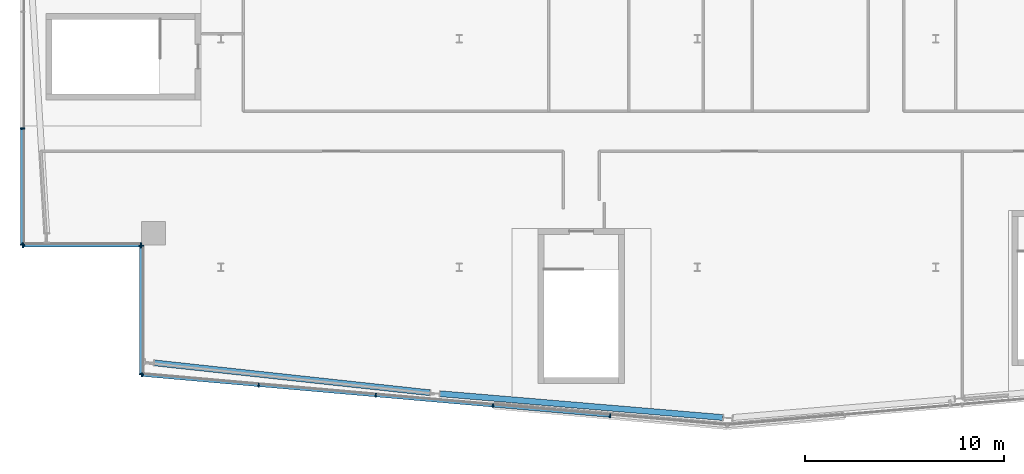
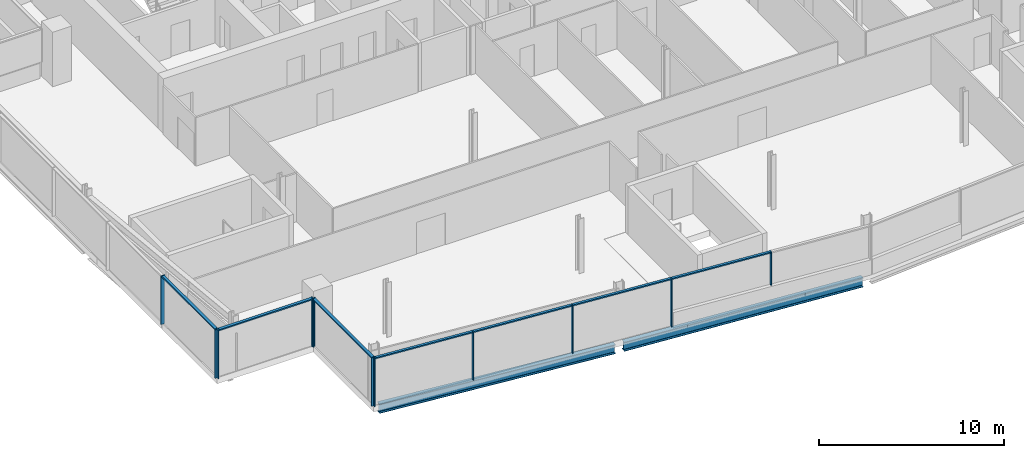
# One storey, part 5 of 19: 18 members, 2 beams, 4 elements without a shape of their own.
"""IFC4 building model written with IfcOpenShell, lengths in metres."""

import ifcopenshell
import ifcopenshell.guid

model = None  # the IFC model being written
_history = None  # IfcOwnerHistory: only IFC2X3 demands one
_inside = {}  # id of a spatial element -> (the spatial element, [elements in it])
_under = {}  # id of a project, library or spatial element -> (it, [spatial elements below it])
_declared = {}  # id of a project -> (the project, [libraries it declares])
_typed = {}  # id of a type object -> (the type object, [elements of that type])
_made_of = {}  # id of a material, layer set ... -> (it, [elements and type objects made of it])


def new_model(schema):
    """Start an empty IFC model of exactly this schema.

    Asked for "IFC4X3", IfcOpenShell would pick the latest addendum, in which some entities
    have other attributes; the version numbers below select the first issue.
    IFC2X3 requires an IfcOwnerHistory on every rooted entity: one is made here for all.
    """
    global model, _history
    if schema == "IFC4X3":
        model = ifcopenshell.file(schema_version=(4, 3, 0, 0))
    else:
        model = ifcopenshell.file(schema=schema)
    _inside.clear()
    _under.clear()
    _declared.clear()
    _typed.clear()
    _made_of.clear()
    _history = None
    if model.schema == "IFC2X3":
        org = make("IfcOrganization", Name="unknown")
        user = make(
            "IfcPersonAndOrganization",
            ThePerson=make("IfcPerson", FamilyName="unknown"),
            TheOrganization=org,
        )
        app = make(
            "IfcApplication",
            ApplicationDeveloper=org,
            Version="unknown",
            ApplicationFullName="unknown",
            ApplicationIdentifier="unknown",
        )
        _history = make(
            "IfcOwnerHistory",
            OwningUser=user,
            OwningApplication=app,
            ChangeAction="ADDED",
            CreationDate=0,
        )
    return model


def make(cls, **values):
    """One entity of the class cls with the attributes given. An attribute that is None is left unset."""
    return model.create_entity(
        cls, **{name: value for name, value in values.items() if value is not None}
    )


def rooted(cls, **values):
    """An entity with a GlobalId (a new one), such as an element, a storey or a relation."""
    return make(cls, GlobalId=ifcopenshell.guid.new(), OwnerHistory=_history, **values)


def si_unit(unit_type, name, prefix=None):
    """IfcSIUnit, for example si_unit("LENGTHUNIT", "METRE", prefix="MILLI")."""
    return make("IfcSIUnit", UnitType=unit_type, Prefix=prefix, Name=name)


def assignment(units):
    """IfcUnitAssignment: the units of a project."""
    return None if units is None else make("IfcUnitAssignment", Units=units)


def point(xyz):
    """IfcCartesianPoint."""
    return None if xyz is None else make("IfcCartesianPoint", Coordinates=xyz)


def direction(xyz):
    """IfcDirection."""
    return None if xyz is None else make("IfcDirection", DirectionRatios=xyz)


def frame(location, z_axis=None, x_axis=None):
    """IfcAxis2Placement3D, a coordinate frame: its origin and axes. An axis left out is left unset."""
    return make(
        "IfcAxis2Placement3D",
        Location=point(location),
        Axis=direction(z_axis),
        RefDirection=direction(x_axis),
    )


def frame_2d(location, x_axis=None):
    """IfcAxis2Placement2D, a coordinate frame in the plane: its origin and x axis."""
    return make(
        "IfcAxis2Placement2D", Location=point(location), RefDirection=direction(x_axis)
    )


def origin():
    """The frame at (0, 0, 0) with its axes left unset."""
    return frame((0.0, 0.0, 0.0))


def origin_2d():
    """The frame at (0, 0) in the plane with its x axis left unset."""
    return frame_2d((0.0, 0.0))


def place(relative_to, where):
    """IfcLocalPlacement: puts the frame where relative to a parent placement (None: the world)."""
    return make(
        "IfcLocalPlacement", PlacementRelTo=relative_to, RelativePlacement=where
    )


def context(
    kind, dimensions, precision=None, world=None, true_north=None, identifier=None
):
    """IfcGeometricRepresentationContext, for example the 3D "Model" context."""
    return make(
        "IfcGeometricRepresentationContext",
        ContextIdentifier=identifier,
        ContextType=kind,
        CoordinateSpaceDimension=dimensions,
        Precision=precision,
        WorldCoordinateSystem=world,
        TrueNorth=true_north,
    )


def subcontext(parent, identifier, kind, view, scale=None):
    """IfcGeometricRepresentationSubContext, for example "Body" below "Model"."""
    return make(
        "IfcGeometricRepresentationSubContext",
        ContextIdentifier=identifier,
        ContextType=kind,
        ParentContext=parent,
        TargetScale=scale,
        TargetView=view,
    )


def project(units=None, contexts=None):
    """IfcProject with its units and contexts."""
    return rooted(
        "IfcProject",
        Name="project",
        RepresentationContexts=contexts,
        UnitsInContext=assignment(units),
    )


def spatial(cls, under=None, at=None, **own):
    """A site, building, storey or space (cls), placed at a placement, below another one or the project."""
    s = rooted(cls, ObjectPlacement=at, **own)
    if under is not None:
        _under.setdefault(under.id(), (under, []))[1].append(s)
    return s


def profile(cls, at=None, kind="AREA", **sizes):
    """A parametric profile (cls). Its sizes go by their IFC names, for example OverallWidth=200.0."""
    return make(cls, ProfileType=kind, Position=at, **sizes)


def rectangle(**sizes):
    """IfcRectangleProfileDef."""
    return profile("IfcRectangleProfileDef", **sizes)


def i_section(**sizes):
    """IfcIShapeProfileDef."""
    return profile("IfcIShapeProfileDef", **sizes)


def extrude(swept, where, along, depth):
    """IfcExtrudedAreaSolid: the profile swept, set in the frame where, extruded along a direction by depth."""
    return make(
        "IfcExtrudedAreaSolid",
        SweptArea=swept,
        Position=where,
        ExtrudedDirection=direction(along),
        Depth=depth,
    )


def shape(context_of_items, identifier, shape_type, items):
    """IfcShapeRepresentation: the items that make up one representation, for example the "Body"."""
    return make(
        "IfcShapeRepresentation",
        ContextOfItems=context_of_items,
        RepresentationIdentifier=identifier,
        RepresentationType=shape_type,
        Items=items,
    )


def material(Name=None, Category=None):
    """IfcMaterial."""
    return make("IfcMaterial", Name=Name, Category=Category)


def material_profile(
    of_material, cross_section, Name=None, Category=None, Priority=None
):
    """IfcMaterialProfile: a cross section and its material."""
    return make(
        "IfcMaterialProfile",
        Name=Name,
        Material=of_material,
        Profile=cross_section,
        Priority=Priority,
        Category=Category,
    )


def profile_set(profiles, Name=None, composite=None):
    """IfcMaterialProfileSet."""
    return make(
        "IfcMaterialProfileSet",
        Name=Name,
        MaterialProfiles=profiles,
        CompositeProfile=composite,
    )


def made_of(thing, what):
    """Note that an element or type object is made of a material, layer set ...; save() writes the relation."""
    if what is not None:
        _made_of.setdefault(what.id(), (what, []))[1].append(thing)
    return thing


def type_object(cls, material=None, **own):
    """A type object (cls), such as IfcWallType, which elements share."""
    return made_of(rooted(cls, **own), material)


def element(
    cls,
    number,
    at=None,
    inside=None,
    cuts=None,
    type_object=None,
    material=None,
    context=None,
    identifier="Body",
    shape_type=None,
    held_by="IfcProductDefinitionShape",
    body=None,
    shapes=None,
    **own,
):
    """One element of the class cls, such as IfcWall. Its Tag is "e" and its number.

    at: its placement. inside: the storey or other place that contains it. cuts: it is an
    opening in that element (IfcRelVoidsElement). A single representation is given by context,
    identifier, shape_type and body (its items); several are given by shapes. held_by: the class
    of the entity that holds the representations. save() writes the other relations.
    """
    e = rooted(cls, Tag="e%d" % number, ObjectPlacement=at, **own)
    if body is not None:
        shapes = [shape(context, identifier, shape_type, body)]
    if shapes is not None:
        e.Representation = make(held_by, Representations=shapes)
    if inside is not None:
        _inside.setdefault(inside.id(), (inside, []))[1].append(e)
    if cuts is not None:
        rooted(
            "IfcRelVoidsElement", RelatingBuildingElement=cuts, RelatedOpeningElement=e
        )
    if type_object is not None:
        _typed.setdefault(type_object.id(), (type_object, []))[1].append(e)
    return made_of(e, material)


def aggregate(whole, parts):
    """IfcRelAggregates: a whole, such as a stair, and the parts it consists of."""
    return rooted("IfcRelAggregates", RelatingObject=whole, RelatedObjects=parts)


def save(model, path):
    """Write the relations noted so far, then the file.

    IfcRelAggregates (storeys below a building ...), IfcRelContainedInSpatialStructure (elements
    in a storey), IfcRelDefinesByType, IfcRelAssociatesMaterial and IfcRelDeclares: one each for
    every whole, place, type object, material and project.
    """
    for whole, parts in _under.values():
        aggregate(whole, parts)
    for where, things in _inside.values():
        rooted(
            "IfcRelContainedInSpatialStructure",
            RelatedElements=things,
            RelatingStructure=where,
        )
    for kind, things in _typed.values():
        rooted("IfcRelDefinesByType", RelatedObjects=things, RelatingType=kind)
    for what, things in _made_of.values():
        rooted("IfcRelAssociatesMaterial", RelatedObjects=things, RelatingMaterial=what)
    for by, libraries in _declared.values():
        rooted("IfcRelDeclares", RelatingContext=by, RelatedDefinitions=libraries)
    model.write(path)


model = new_model("IFC4")

# Units and contexts
model_context = context("Model", 3, precision=1e-05, world=origin(), true_north=direction((0.0, 1.0)))
body_context = subcontext(model_context, "Body", "Model", "MODEL_VIEW")
ifc_project = project(units=[si_unit("LENGTHUNIT", "METRE"), si_unit("AREAUNIT", "SQUARE_METRE"), si_unit("VOLUMEUNIT", "CUBIC_METRE"), si_unit("PLANEANGLEUNIT", "RADIAN"), si_unit("MASSUNIT", "GRAM", prefix="KILO")], contexts=[model_context])

# Site, building, storey
site_placement = place(None, origin())
site = spatial("IfcSite", under=ifc_project, at=site_placement, CompositionType="ELEMENT")
building_placement = place(site_placement, origin())
building = spatial("IfcBuilding", under=site, at=building_placement, Name="Wharfspan Tower", CompositionType="ELEMENT")
storey_placement = place(building_placement, frame((0.0, 0.0, 257.5)))
storey = spatial("IfcBuildingStorey", under=building, at=storey_placement, Name="L65", CompositionType="ELEMENT", Elevation=257.5)

# Beams
ifc_material_1 = material(Name="Steel S355J2", Category="steel")
ifc_material_profile_1 = material_profile(ifc_material_1, i_section(OverallWidth=0.300049, OverallDepth=0.600098, WebThickness=0.015381, FlangeThickness=0.030029, FilletRadius=0.0271, at=origin_2d()))
ifc_profile_set_1 = profile_set([ifc_material_profile_1], Name="Steel S355J2")
beam_type = type_object("IfcBeamType", Name="Edge beam HEB 600", PredefinedType="SPANDREL", material=ifc_profile_set_1)
beam_1_placement = place(storey_placement, frame((20.648682, 6.674805, -0.699951), z_axis=(0.99418, -0.107732, 0.0), x_axis=(0.107732, 0.99418, 0.0)))
element("IfcBeam", 1, at=beam_1_placement, inside=storey, type_object=beam_type, Name="Edge beam S1 L65 PS1.1 to PS1.2", PredefinedType="SPANDREL", context=body_context, shape_type="SweptSolid", body=[
    extrude(i_section(OverallWidth=0.300049, OverallDepth=0.600098, WebThickness=0.015381, FlangeThickness=0.030029, FilletRadius=0.0271, at=origin_2d()), origin(), (0.0, 0.0, 1.0), 13.95752),
])
beam_2_placement = place(storey_placement, frame((35.038574, 5.121582, -0.699951), z_axis=(0.996473, -0.083909, 0.0), x_axis=(0.083909, 0.996473, 0.0)))
element("IfcBeam", 2, at=beam_2_placement, inside=storey, type_object=beam_type, Name="Edge beam S1 L65 PS1.2 to PS1.3", PredefinedType="SPANDREL", context=body_context, shape_type="SweptSolid", body=[
    extrude(i_section(OverallWidth=0.300049, OverallDepth=0.600098, WebThickness=0.015381, FlangeThickness=0.030029, FilletRadius=0.0271, at=origin_2d()), origin(), (0.0, 0.0, 1.0), 14.277344),
])

# Curtain wall, members
ifc_material_2 = material(Name="Aluminium 6063-T6", Category="aluminium")
curtain_wall_type_1 = type_object("IfcCurtainWallType", Name="CURTAIN WALL FACETED FRONT", PredefinedType="NOTDEFINED", material=ifc_material_2)
curtain_wall_1_placement = place(storey_placement, origin())
curtain_wall_1 = element("IfcCurtainWall", 3, at=curtain_wall_1_placement, inside=storey, type_object=curtain_wall_type_1, Name="Curtain wall S1", PredefinedType="NOTDEFINED")
ifc_material_profile_2 = material_profile(ifc_material_2, rectangle(XDim=0.199951, YDim=0.060059, at=origin_2d()))
ifc_profile_set_2 = profile_set([ifc_material_profile_2], Name="Aluminium 6063-T6")
member_type_1 = type_object("IfcMemberType", Name="MULLION FACETED FRONT 60x200", PredefinedType="MULLION", material=ifc_profile_set_2)
member_1_placement = place(storey_placement, frame((20.029785, 6.07251, 0.0), z_axis=(0.0, 0.0, 1.0), x_axis=(0.087156, 0.996197, 0.0)))
member_1 = element("IfcMember", 4, at=member_1_placement, type_object=member_type_1, Name="Curtain wall S1 mullion 1", PredefinedType="MULLION", context=body_context, shape_type="SweptSolid", body=[
    extrude(rectangle(XDim=0.199951, YDim=0.060059, at=origin_2d()), origin(), (0.0, 0.0, 1.0), 3.199951),
])
member_2_placement = place(storey_placement, frame((25.899902, 5.558838, 0.0), z_axis=(0.0, 0.0, 1.0), x_axis=(0.087156, 0.996197, 0.0)))
member_2 = element("IfcMember", 5, at=member_2_placement, type_object=member_type_1, Name="Curtain wall S1 mullion 2", PredefinedType="MULLION", context=body_context, shape_type="SweptSolid", body=[
    extrude(rectangle(XDim=0.199951, YDim=0.060059, at=origin_2d()), origin(), (0.0, 0.0, 1.0), 3.199951),
])
member_3_placement = place(storey_placement, frame((31.800049, 5.042725, 0.0), z_axis=(0.0, 0.0, 1.0), x_axis=(0.087156, 0.996197, 0.0)))
member_3 = element("IfcMember", 6, at=member_3_placement, type_object=member_type_1, Name="Curtain wall S1 mullion 3", PredefinedType="MULLION", context=body_context, shape_type="SweptSolid", body=[
    extrude(rectangle(XDim=0.199951, YDim=0.060059, at=origin_2d()), origin(), (0.0, 0.0, 1.0), 3.199951),
])
member_4_placement = place(storey_placement, frame((37.699951, 4.526611, 0.0), z_axis=(0.0, 0.0, 1.0), x_axis=(0.087156, 0.996197, 0.0)))
member_4 = element("IfcMember", 7, at=member_4_placement, type_object=member_type_1, Name="Curtain wall S1 mullion 4", PredefinedType="MULLION", context=body_context, shape_type="SweptSolid", body=[
    extrude(rectangle(XDim=0.199951, YDim=0.060059, at=origin_2d()), origin(), (0.0, 0.0, 1.0), 3.199951),
])
member_5_placement = place(storey_placement, frame((43.600098, 4.010254, 1.0), z_axis=(0.0, 0.0, 1.0), x_axis=(0.087156, 0.996197, 0.0)))
member_5 = element("IfcMember", 8, at=member_5_placement, type_object=member_type_1, Name="Curtain wall S1 mullion 5", PredefinedType="MULLION", context=body_context, shape_type="SweptSolid", body=[
    extrude(rectangle(XDim=0.199951, YDim=0.060059, at=origin_2d()), origin(), (0.0, 0.0, 1.0), 2.199951),
])

curtain_wall_type_2 = type_object("IfcCurtainWallType", Name="CURTAIN WALL PROW AND END", PredefinedType="NOTDEFINED", material=ifc_material_2)
curtain_wall_2_placement = place(storey_placement, origin())
curtain_wall_2 = element("IfcCurtainWall", 9, at=curtain_wall_2_placement, inside=storey, type_object=curtain_wall_type_2, Name="Curtain wall W", PredefinedType="NOTDEFINED")
ifc_material_profile_3 = material_profile(ifc_material_2, rectangle(XDim=0.23999, YDim=0.060059, at=origin_2d()))
ifc_profile_set_3 = profile_set([ifc_material_profile_3], Name="Aluminium 6063-T6")
member_type_2 = type_object("IfcMemberType", Name="MULLION PROW AND END 60x240", PredefinedType="MULLION", material=ifc_profile_set_3)
member_6_placement = place(storey_placement, frame((14.0, 18.47998, 0.0), z_axis=(0.0, 0.0, 1.0), x_axis=(1.0, 0.0, 0.0)))
member_6 = element("IfcMember", 10, at=member_6_placement, type_object=member_type_2, Name="Curtain wall W mullion 5", PredefinedType="MULLION", context=body_context, shape_type="SweptSolid", body=[
    extrude(rectangle(XDim=0.23999, YDim=0.060059, at=origin_2d()), origin(), (0.0, 0.0, 1.0), 3.199951),
])
member_7_placement = place(storey_placement, frame((14.0, 12.629883, 0.0), z_axis=(0.0, 0.0, 1.0), x_axis=(1.0, 0.0, 0.0)))
member_7 = element("IfcMember", 11, at=member_7_placement, type_object=member_type_2, Name="Curtain wall W mullion 6", PredefinedType="MULLION", context=body_context, shape_type="SweptSolid", body=[
    extrude(rectangle(XDim=0.23999, YDim=0.060059, at=origin_2d()), origin(), (0.0, 0.0, 1.0), 3.199951),
])

curtain_wall_3_placement = place(storey_placement, origin())
curtain_wall_3 = element("IfcCurtainWall", 12, at=curtain_wall_3_placement, inside=storey, type_object=curtain_wall_type_2, Name="Curtain wall NFW-H", PredefinedType="NOTDEFINED")
member_8_placement = place(storey_placement, frame((14.030029, 12.600098, 0.0), z_axis=(0.0, 0.0, 1.0), x_axis=(0.0, 1.0, 0.0)))
member_8 = element("IfcMember", 13, at=member_8_placement, type_object=member_type_2, Name="Curtain wall NFW-H mullion 1", PredefinedType="MULLION", context=body_context, shape_type="SweptSolid", body=[
    extrude(rectangle(XDim=0.23999, YDim=0.060059, at=origin_2d()), origin(), (0.0, 0.0, 1.0), 3.199951),
])
member_9_placement = place(storey_placement, frame((19.969971, 12.600098, 0.0), z_axis=(0.0, 0.0, 1.0), x_axis=(0.0, 1.0, 0.0)))
member_9 = element("IfcMember", 14, at=member_9_placement, type_object=member_type_2, Name="Curtain wall NFW-H mullion 2", PredefinedType="MULLION", context=body_context, shape_type="SweptSolid", body=[
    extrude(rectangle(XDim=0.23999, YDim=0.060059, at=origin_2d()), origin(), (0.0, 0.0, 1.0), 3.199951),
])

curtain_wall_4_placement = place(storey_placement, origin())
curtain_wall_4 = element("IfcCurtainWall", 15, at=curtain_wall_4_placement, inside=storey, type_object=curtain_wall_type_2, Name="Curtain wall NFW-V", PredefinedType="NOTDEFINED")
member_10_placement = place(storey_placement, frame((20.0, 12.570068, 0.0), z_axis=(0.0, 0.0, 1.0), x_axis=(1.0, 0.0, 0.0)))
member_10 = element("IfcMember", 16, at=member_10_placement, type_object=member_type_2, Name="Curtain wall NFW-V mullion 1", PredefinedType="MULLION", context=body_context, shape_type="SweptSolid", body=[
    extrude(rectangle(XDim=0.23999, YDim=0.060059, at=origin_2d()), origin(), (0.0, 0.0, 1.0), 3.199951),
])
member_11_placement = place(storey_placement, frame((20.0, 6.10498, 0.0), z_axis=(0.0, 0.0, 1.0), x_axis=(1.0, 0.0, 0.0)))
member_11 = element("IfcMember", 17, at=member_11_placement, type_object=member_type_2, Name="Curtain wall NFW-V mullion 2", PredefinedType="MULLION", context=body_context, shape_type="SweptSolid", body=[
    extrude(rectangle(XDim=0.23999, YDim=0.060059, at=origin_2d()), origin(), (0.0, 0.0, 1.0), 3.199951),
])

# Member
ifc_material_profile_4 = material_profile(ifc_material_2, rectangle(XDim=0.159912, YDim=0.080078, at=origin_2d()))
ifc_profile_set_4 = profile_set([ifc_material_profile_4], Name="Aluminium 6063-T6")
member_type_3 = type_object("IfcMemberType", Name="TRANSOM FACETED FRONT 80x160", PredefinedType="USERDEFINED", material=ifc_profile_set_4)
member_12_placement = place(storey_placement, frame((20.059814, 6.069824, 3.159912), z_axis=(0.996195, -0.08715, 0.0), x_axis=(0.08715, 0.996195, 0.0)))
member_12 = element("IfcMember", 18, at=member_12_placement, type_object=member_type_3, Name="Curtain wall S1 transom 1", ObjectType="TRANSOM", PredefinedType="USERDEFINED", context=body_context, shape_type="SweptSolid", body=[
    extrude(rectangle(XDim=0.159912, YDim=0.080078, at=origin_2d()), origin(), (0.0, 0.0, 1.0), 5.83252),
])

member_13_placement = place(storey_placement, frame((25.929932, 5.556152, 3.159912), z_axis=(0.996198, -0.087122, 0.0), x_axis=(0.087122, 0.996198, 0.0)))
member_13 = element("IfcMember", 19, at=member_13_placement, type_object=member_type_3, Name="Curtain wall S1 transom 2", ObjectType="TRANSOM", PredefinedType="USERDEFINED", context=body_context, shape_type="SweptSolid", body=[
    extrude(rectangle(XDim=0.159912, YDim=0.080078, at=origin_2d()), origin(), (0.0, 0.0, 1.0), 5.862305),
])

member_14_placement = place(storey_placement, frame((31.829834, 5.040039, 3.159912), z_axis=(0.996194, -0.08716, 0.0), x_axis=(0.08716, 0.996194, 0.0)))
member_14 = element("IfcMember", 20, at=member_14_placement, type_object=member_type_3, Name="Curtain wall S1 transom 3", ObjectType="TRANSOM", PredefinedType="USERDEFINED", context=body_context, shape_type="SweptSolid", body=[
    extrude(rectangle(XDim=0.159912, YDim=0.080078, at=origin_2d()), origin(), (0.0, 0.0, 1.0), 5.862549),
])

member_15_placement = place(storey_placement, frame((37.72998, 4.523926, 3.159912), z_axis=(0.996194, -0.087163, 0.0), x_axis=(0.087163, 0.996194, 0.0)))
member_15 = element("IfcMember", 21, at=member_15_placement, type_object=member_type_3, Name="Curtain wall S1 transom 4", ObjectType="TRANSOM", PredefinedType="USERDEFINED", context=body_context, shape_type="SweptSolid", body=[
    extrude(rectangle(XDim=0.159912, YDim=0.080078, at=origin_2d()), origin(), (0.0, 0.0, 1.0), 5.862305),
])

aggregate(curtain_wall_1, [member_1, member_2, member_3, member_4, member_5, member_12, member_13, member_14, member_15])

ifc_material_profile_5 = material_profile(ifc_material_2, rectangle(XDim=0.179932, YDim=0.080078, at=origin_2d()))
ifc_profile_set_5 = profile_set([ifc_material_profile_5], Name="Aluminium 6063-T6")
member_type_4 = type_object("IfcMemberType", Name="TRANSOM PROW AND END 80x180", PredefinedType="USERDEFINED", material=ifc_profile_set_5)
member_16_placement = place(storey_placement, frame((14.0, 18.449951, 3.159912), z_axis=(0.0, -1.0, 0.0), x_axis=(1.0, 0.0, 0.0)))
member_16 = element("IfcMember", 22, at=member_16_placement, type_object=member_type_4, Name="Curtain wall W transom 5", ObjectType="TRANSOM", PredefinedType="USERDEFINED", context=body_context, shape_type="SweptSolid", body=[
    extrude(rectangle(XDim=0.179932, YDim=0.080078, at=origin_2d()), origin(), (0.0, 0.0, 1.0), 5.790039),
])

aggregate(curtain_wall_2, [member_6, member_7, member_16])

member_17_placement = place(storey_placement, frame((14.060059, 12.600098, 3.159912), z_axis=(1.0, 0.0, 0.0), x_axis=(0.0, 1.0, 0.0)))
member_17 = element("IfcMember", 23, at=member_17_placement, type_object=member_type_4, Name="Curtain wall NFW-H transom 1", ObjectType="TRANSOM", PredefinedType="USERDEFINED", context=body_context, shape_type="SweptSolid", body=[
    extrude(rectangle(XDim=0.179932, YDim=0.080078, at=origin_2d()), origin(), (0.0, 0.0, 1.0), 5.879883),
])

aggregate(curtain_wall_3, [member_8, member_9, member_17])

member_18_placement = place(storey_placement, frame((20.0, 12.540039, 3.159912), z_axis=(0.0, -1.0, 0.0), x_axis=(1.0, 0.0, 0.0)))
member_18 = element("IfcMember", 24, at=member_18_placement, type_object=member_type_4, Name="Curtain wall NFW-V transom 1", ObjectType="TRANSOM", PredefinedType="USERDEFINED", context=body_context, shape_type="SweptSolid", body=[
    extrude(rectangle(XDim=0.179932, YDim=0.080078, at=origin_2d()), origin(), (0.0, 0.0, 1.0), 6.405029),
])

aggregate(curtain_wall_4, [member_10, member_11, member_18])

save(model, "model.ifc")
